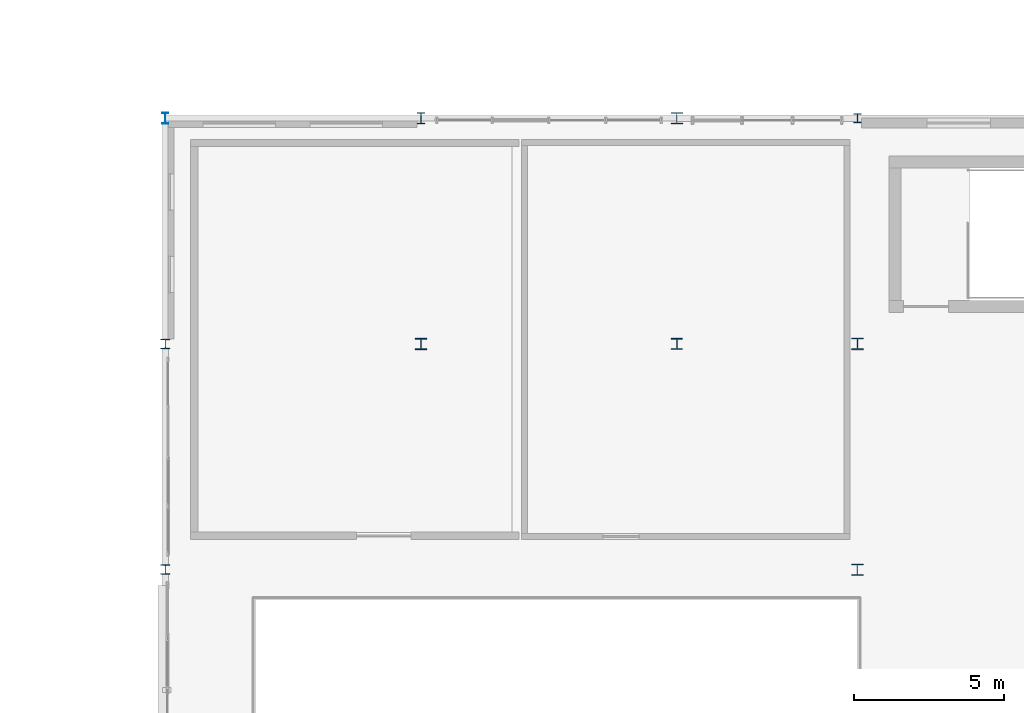
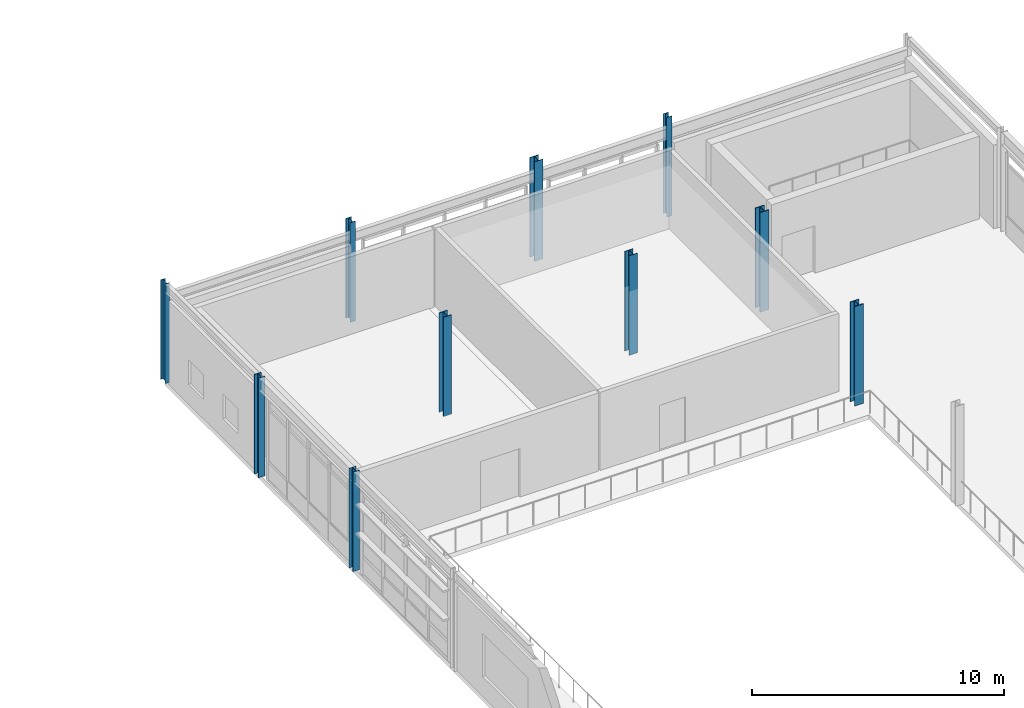
# One storey, part 4 of 56: 10 columns.
"""IFC4 building model written with IfcOpenShell, lengths in metres."""

from ifc_helpers import new_model, si_unit, direction, frame, origin, origin_2d, place, context, subcontext, project, spatial, i_section, extrude, material, material_profile, profile_set, type_object, element, save


model = new_model("IFC4")

# Units and contexts
model_context = context("Model", 3, precision=1e-05, world=origin(), true_north=direction((0.0, 1.0)))
body_context = subcontext(model_context, "Body", "Model", "MODEL_VIEW")
ifc_project = project(units=[si_unit("LENGTHUNIT", "METRE"), si_unit("AREAUNIT", "SQUARE_METRE"), si_unit("VOLUMEUNIT", "CUBIC_METRE"), si_unit("PLANEANGLEUNIT", "RADIAN"), si_unit("MASSUNIT", "GRAM", prefix="KILO"), si_unit("THERMODYNAMICTEMPERATUREUNIT", "KELVIN"), si_unit("POWERUNIT", "WATT")], contexts=[model_context])

# Site, building, storey
site_placement = place(None, origin())
site = spatial("IfcSite", under=ifc_project, at=site_placement, CompositionType="ELEMENT")
building_placement = place(site_placement, origin())
building = spatial("IfcBuilding", under=site, at=building_placement, Name="Tepalcoro Natatorium and Aquatics Centre", CompositionType="ELEMENT")
storey_placement = place(building_placement, frame((0.0, 0.0, 14.800048828125)))
storey = spatial("IfcBuildingStorey", under=building, at=storey_placement, Name="L03", CompositionType="ELEMENT", Elevation=14.800048828125)

# Columns
ifc_material = material(Name="Steel ASTM A992 Grade 50 (Fy 345 MPa)", Category="steel")
ifc_material_profile_1 = material_profile(ifc_material, i_section(OverallWidth=0.205078125, OverallDepth=0.35302734375, WebThickness=0.009033203125, FlangeThickness=0.01708984375, FilletRadius=0.013916015625, at=origin_2d()), Name="W14X53")
ifc_profile_set_1 = profile_set([ifc_material_profile_1], Name="Steel ASTM A992 Grade 50 (Fy 345 MPa)")
column_type_1 = type_object("IfcColumnType", Name="COL_CHS324x16", PredefinedType="COLUMN", material=ifc_profile_set_1)
column_1_placement = place(storey_placement, frame((142.0, 59.0, 0.0), z_axis=(0.0, 0.0, 1.0), x_axis=(1.0, 0.0, 0.0)))
element("IfcColumn", 1, at=column_1_placement, inside=storey, type_object=column_type_1, Name="V2 L03 Grid Column (142.0, 59.0)", PredefinedType="COLUMN", context=body_context, shape_type="SweptSolid", body=[
    extrude(i_section(OverallWidth=0.205078125, OverallDepth=0.35302734375, WebThickness=0.009033203125, FlangeThickness=0.01708984375, FilletRadius=0.013916015625, at=origin_2d()), origin(), (0.0, 0.0, 1.0), 4.820068359375),
])
ifc_material_profile_2 = material_profile(ifc_material, i_section(OverallWidth=0.31005859375, OverallDepth=0.327880859375, WebThickness=0.014892578125, FlangeThickness=0.02490234375, FilletRadius=0.013916015625, at=origin_2d()), Name="W12X106")
ifc_profile_set_2 = profile_set([ifc_material_profile_2], Name="Steel ASTM A992 Grade 50 (Fy 345 MPa)")
column_type_2 = type_object("IfcColumnType", Name="COL_W12x106", PredefinedType="COLUMN", material=ifc_profile_set_2)
column_2_placement = place(storey_placement, frame((142.0, 51.5, 0.0), z_axis=(0.0, 0.0, 1.0), x_axis=(1.0, 0.0, 0.0)))
element("IfcColumn", 2, at=column_2_placement, inside=storey, type_object=column_type_2, Name="V2 L03 Grid Column (142.0, 51.5)", PredefinedType="COLUMN", context=body_context, shape_type="SweptSolid", body=[
    extrude(i_section(OverallWidth=0.31005859375, OverallDepth=0.327880859375, WebThickness=0.014892578125, FlangeThickness=0.02490234375, FilletRadius=0.013916015625, at=origin_2d()), origin(), (0.0, 0.0, 1.0), 4.820068359375),
])
ifc_material_profile_3 = material_profile(ifc_material, i_section(OverallWidth=0.25390625, OverallDepth=0.306884765625, WebThickness=0.009033203125, FlangeThickness=0.014892578125, FilletRadius=0.013916015625, at=origin_2d()), Name="W12X53")
ifc_profile_set_3 = profile_set([ifc_material_profile_3], Name="Steel ASTM A992 Grade 50 (Fy 345 MPa)")
column_type_3 = type_object("IfcColumnType", Name="COL_W12x53", PredefinedType="COLUMN", material=ifc_profile_set_3)
column_3_placement = place(storey_placement, frame((165.0, 59.0, 0.0), z_axis=(0.0, 0.0, 1.0), x_axis=(1.0, 0.0, 0.0)))
element("IfcColumn", 3, at=column_3_placement, inside=storey, type_object=column_type_3, Name="V2 L03 Grid Column (165.0, 59.0)", PredefinedType="COLUMN", context=body_context, shape_type="SweptSolid", body=[
    extrude(i_section(OverallWidth=0.25390625, OverallDepth=0.306884765625, WebThickness=0.009033203125, FlangeThickness=0.014892578125, FilletRadius=0.013916015625, at=origin_2d()), origin(), (0.0, 0.0, 1.0), 4.820068359375),
])
ifc_material_profile_4 = material_profile(ifc_material, i_section(OverallWidth=0.306884765625, OverallDepth=0.31494140625, WebThickness=0.011962890625, FlangeThickness=0.01904296875, FilletRadius=0.013916015625, at=origin_2d()), Name="W12X79")
ifc_profile_set_4 = profile_set([ifc_material_profile_4], Name="Steel ASTM A992 Grade 50 (Fy 345 MPa)")
column_type_4 = type_object("IfcColumnType", Name="COL_W12x79", PredefinedType="COLUMN", material=ifc_profile_set_4)
column_4_placement = place(storey_placement, frame((142.0, 44.0, 0.0), z_axis=(0.0, 0.0, 1.0), x_axis=(1.0, 0.0, 0.0)))
element("IfcColumn", 4, at=column_4_placement, inside=storey, type_object=column_type_4, Name="V2 L03 Grid Column (142.0, 44.0)", PredefinedType="COLUMN", context=body_context, shape_type="SweptSolid", body=[
    extrude(i_section(OverallWidth=0.306884765625, OverallDepth=0.31494140625, WebThickness=0.011962890625, FlangeThickness=0.01904296875, FilletRadius=0.013916015625, at=origin_2d()), origin(), (0.0, 0.0, 1.0), 4.820068359375),
])
ifc_material_profile_5 = material_profile(ifc_material, i_section(OverallWidth=0.373046875, OverallDepth=0.367919921875, WebThickness=0.014892578125, FlangeThickness=0.02392578125, FilletRadius=0.013916015625, at=origin_2d()), Name="W14X120")
ifc_profile_set_5 = profile_set([ifc_material_profile_5], Name="Steel ASTM A992 Grade 50 (Fy 345 MPa)")
column_type_5 = type_object("IfcColumnType", Name="COL_W14x120", PredefinedType="COLUMN", material=ifc_profile_set_5)
column_5_placement = place(storey_placement, frame((159.0, 51.5, 0.0), z_axis=(0.0, 0.0, 1.0), x_axis=(1.0, 0.0, 0.0)))
element("IfcColumn", 5, at=column_5_placement, inside=storey, type_object=column_type_5, Name="V2 L03 Grid Column (159.0, 51.5)", PredefinedType="COLUMN", context=body_context, shape_type="SweptSolid", body=[
    extrude(i_section(OverallWidth=0.373046875, OverallDepth=0.367919921875, WebThickness=0.014892578125, FlangeThickness=0.02392578125, FilletRadius=0.013916015625, at=origin_2d()), origin(), (0.0, 0.0, 1.0), 4.820068359375),
])
ifc_material_profile_6 = material_profile(ifc_material, i_section(OverallWidth=0.3740234375, OverallDepth=0.373046875, WebThickness=0.01611328125, FlangeThickness=0.02587890625, FilletRadius=0.013916015625, at=origin_2d()), Name="W14X132")
ifc_profile_set_6 = profile_set([ifc_material_profile_6], Name="Steel ASTM A992 Grade 50 (Fy 345 MPa)")
column_type_6 = type_object("IfcColumnType", Name="COL_W14x132", PredefinedType="COLUMN", material=ifc_profile_set_6)
column_6_placement = place(storey_placement, frame((150.5, 51.5, 0.0), z_axis=(0.0, 0.0, 1.0), x_axis=(1.0, 0.0, 0.0)))
element("IfcColumn", 6, at=column_6_placement, inside=storey, type_object=column_type_6, Name="V2 L03 Grid Column (150.5, 51.5)", PredefinedType="COLUMN", context=body_context, shape_type="SweptSolid", body=[
    extrude(i_section(OverallWidth=0.3740234375, OverallDepth=0.373046875, WebThickness=0.01611328125, FlangeThickness=0.02587890625, FilletRadius=0.013916015625, at=origin_2d()), origin(), (0.0, 0.0, 1.0), 4.820068359375),
])
ifc_material_profile_7 = material_profile(ifc_material, i_section(OverallWidth=0.39404296875, OverallDepth=0.3759765625, WebThickness=0.01708984375, FlangeThickness=0.028076171875, FilletRadius=0.013916015625, at=origin_2d()), Name="W14X145")
ifc_profile_set_7 = profile_set([ifc_material_profile_7], Name="Steel ASTM A992 Grade 50 (Fy 345 MPa)")
column_type_7 = type_object("IfcColumnType", Name="COL_W14x145", PredefinedType="COLUMN", material=ifc_profile_set_7)
column_7_placement = place(storey_placement, frame((159.0, 59.0, 0.0), z_axis=(0.0, 0.0, 1.0), x_axis=(1.0, 0.0, 0.0)))
element("IfcColumn", 7, at=column_7_placement, inside=storey, type_object=column_type_7, Name="V2 L03 Grid Column (159.0, 59.0)", PredefinedType="COLUMN", context=body_context, shape_type="SweptSolid", body=[
    extrude(i_section(OverallWidth=0.39404296875, OverallDepth=0.3759765625, WebThickness=0.01708984375, FlangeThickness=0.028076171875, FilletRadius=0.013916015625, at=origin_2d()), origin(), (0.0, 0.0, 1.0), 4.820068359375),
])
ifc_material_profile_8 = material_profile(ifc_material, i_section(OverallWidth=0.39892578125, OverallDepth=0.385986328125, WebThickness=0.02099609375, FlangeThickness=0.032958984375, FilletRadius=0.013916015625, at=origin_2d()), Name="W14X176")
ifc_profile_set_8 = profile_set([ifc_material_profile_8], Name="Steel ASTM A992 Grade 50 (Fy 345 MPa)")
column_type_8 = type_object("IfcColumnType", Name="COL_W14x176", PredefinedType="COLUMN", material=ifc_profile_set_8)
column_8_placement = place(storey_placement, frame((165.0, 44.0, 0.0), z_axis=(0.0, 0.0, 1.0), x_axis=(1.0, 0.0, 0.0)))
element("IfcColumn", 8, at=column_8_placement, inside=storey, type_object=column_type_8, Name="V2 L03 Grid Column (165.0, 44.0)", PredefinedType="COLUMN", context=body_context, shape_type="SweptSolid", body=[
    extrude(i_section(OverallWidth=0.39892578125, OverallDepth=0.385986328125, WebThickness=0.02099609375, FlangeThickness=0.032958984375, FilletRadius=0.013916015625, at=origin_2d()), origin(), (0.0, 0.0, 1.0), 4.820068359375),
])
ifc_material_profile_9 = material_profile(ifc_material, i_section(OverallWidth=0.40087890625, OverallDepth=0.39892578125, WebThickness=0.02490234375, FlangeThickness=0.0400390625, FilletRadius=0.013916015625, at=origin_2d()), Name="W14X211")
ifc_profile_set_9 = profile_set([ifc_material_profile_9], Name="Steel ASTM A992 Grade 50 (Fy 345 MPa)")
column_type_9 = type_object("IfcColumnType", Name="COL_W14x211", PredefinedType="COLUMN", material=ifc_profile_set_9)
column_9_placement = place(storey_placement, frame((165.0, 51.5, 0.0), z_axis=(0.0, 0.0, 1.0), x_axis=(1.0, 0.0, 0.0)))
element("IfcColumn", 9, at=column_9_placement, inside=storey, type_object=column_type_9, Name="V2 L03 Grid Column (165.0, 51.5)", PredefinedType="COLUMN", context=body_context, shape_type="SweptSolid", body=[
    extrude(i_section(OverallWidth=0.40087890625, OverallDepth=0.39892578125, WebThickness=0.02490234375, FlangeThickness=0.0400390625, FilletRadius=0.013916015625, at=origin_2d()), origin(), (0.0, 0.0, 1.0), 4.820068359375),
])
ifc_material_profile_10 = material_profile(ifc_material, i_section(OverallWidth=0.25390625, OverallDepth=0.35595703125, WebThickness=0.010986328125, FlangeThickness=0.01806640625, FilletRadius=0.013916015625, at=origin_2d()), Name="W14X68")
ifc_profile_set_10 = profile_set([ifc_material_profile_10], Name="Steel ASTM A992 Grade 50 (Fy 345 MPa)")
column_type_10 = type_object("IfcColumnType", Name="COL_W14x68", PredefinedType="COLUMN", material=ifc_profile_set_10)
column_10_placement = place(storey_placement, frame((150.5, 59.0, 0.0), z_axis=(0.0, 0.0, 1.0), x_axis=(1.0, 0.0, 0.0)))
element("IfcColumn", 10, at=column_10_placement, inside=storey, type_object=column_type_10, Name="V2 L03 Grid Column (150.5, 59.0)", PredefinedType="COLUMN", context=body_context, shape_type="SweptSolid", body=[
    extrude(i_section(OverallWidth=0.25390625, OverallDepth=0.35595703125, WebThickness=0.010986328125, FlangeThickness=0.01806640625, FilletRadius=0.013916015625, at=origin_2d()), origin(), (0.0, 0.0, 1.0), 4.820068359375),
])

save(model, "model.ifc")
